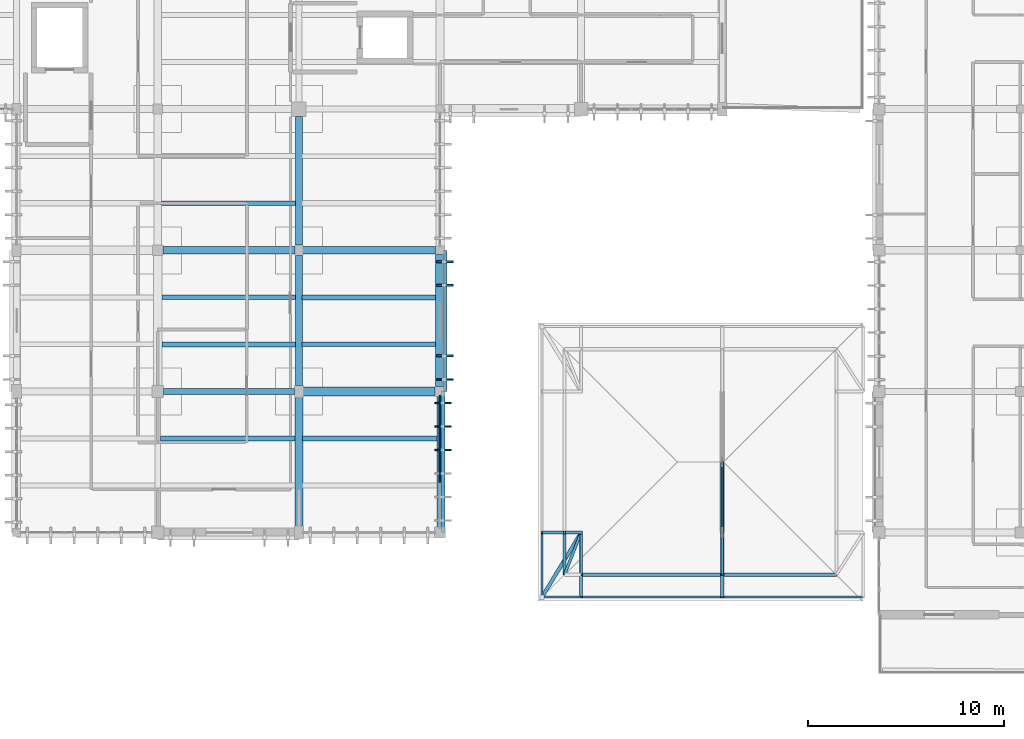
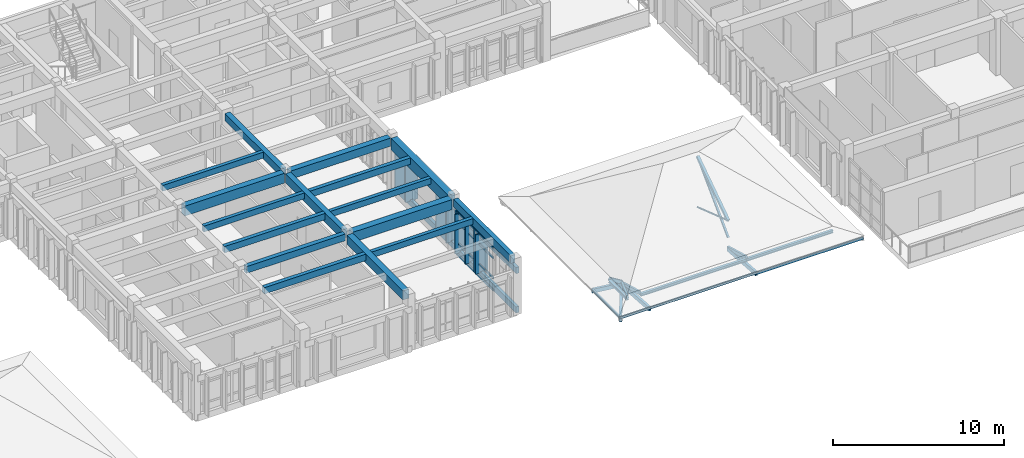
# One storey, part 7 of 51: 35 members, 20 beams, 1 element without a shape of its own.
"""IFC4 building model written with IfcOpenShell, lengths in metres."""

from ifc_helpers import new_model, si_unit, direction, frame, origin, origin_2d, place, context, subcontext, project, spatial, rectangle, hollow_rectangle, hollow_circle, i_section, extrude, material, material_profile, profile_set, type_object, element, aggregate, save


model = new_model("IFC4")

# Units and contexts
model_context = context("Model", 3, precision=1e-05, world=origin(), true_north=direction((0.0, 1.0)))
body_context = subcontext(model_context, "Body", "Model", "MODEL_VIEW")
ifc_project = project(units=[si_unit("LENGTHUNIT", "METRE"), si_unit("AREAUNIT", "SQUARE_METRE"), si_unit("VOLUMEUNIT", "CUBIC_METRE"), si_unit("PLANEANGLEUNIT", "RADIAN"), si_unit("MASSUNIT", "GRAM", prefix="KILO")], contexts=[model_context])

# Site, building, storey
site_placement = place(None, origin())
site = spatial("IfcSite", under=ifc_project, at=site_placement, CompositionType="ELEMENT")
building_placement = place(site_placement, origin())
building = spatial("IfcBuilding", under=site, at=building_placement, Name="Steenspoor Specialist Clinic", CompositionType="ELEMENT")
storey_placement = place(building_placement, frame((0.0, 0.0, 17.39990234375)))
storey = spatial("IfcBuildingStorey", under=building, at=storey_placement, Name="L04", CompositionType="ELEMENT", Elevation=17.39990234375)

# Beams
ifc_material_1 = material(Name="Glulam GL28h", Category="wood")
ifc_material_profile_1 = material_profile(ifc_material_1, rectangle(XDim=0.199951171875, YDim=0.43994140625, at=origin_2d()), Name="GL28H-200X440")
ifc_profile_set_1 = profile_set([ifc_material_profile_1], Name="Glulam GL28h")
beam_type_1 = type_object("IfcBeamType", Name="BM-GL-200X440", PredefinedType="BEAM", material=ifc_profile_set_1)
for number, where, z_axis, x_axis, name in (
    (1, (95.85009765625, 86.75, 0.14013671875), (0.0, -1.0, 0.0), (1.0, 0.0, 0.0), "Timber Screen Tie Rail V4 L04 85"),
    (2, (95.85009765625, 86.75, 2.9501953125), (0.0, -1.0, 0.0), (1.0, 0.0, 0.0), "Timber Screen Tie Rail V4 L04 86"),
    (3, (95.75, 79.550048828125, 0.14013671875), (0.0, -1.0, 0.0), (1.0, 0.0, 0.0), "Timber Screen Tie Rail V4 L04 91"),
    (4, (95.75, 79.550048828125, 2.9501953125), (0.0, -1.0, 0.0), (1.0, 0.0, 0.0), "Timber Screen Tie Rail V4 L04 92"),
):
    element("IfcBeam", number, at=place(storey_placement, frame(where, z_axis=z_axis, x_axis=x_axis)), inside=storey, type_object=beam_type_1, Name=name, PredefinedType="BEAM", context=body_context, shape_type="SweptSolid", body=[
        extrude(rectangle(XDim=0.199951171875, YDim=0.43994140625, at=origin_2d()), origin(), (0.0, 0.0, 1.0), 7.199951171875),
    ])
ifc_material_2 = material(Name="Concrete C35/45", Category="concrete")
ifc_material_profile_2 = material_profile(ifc_material_2, rectangle(XDim=0.300048828125, YDim=0.47998046875, at=origin_2d()), Name="RC-BM-300X480")
ifc_profile_set_2 = profile_set([ifc_material_profile_2], Name="Concrete C35/45")
beam_type_2 = type_object("IfcBeamType", Name="BM-RC-300X480", PredefinedType="BEAM", material=ifc_profile_set_2)
beam_1_placement = place(storey_placement, frame((81.4951171875, 79.550048828125, 3.68017578125), z_axis=(1.0, 0.0, 0.0), x_axis=(0.0, 1.0, 0.0)))
element("IfcBeam", 5, at=beam_1_placement, inside=storey, type_object=beam_type_2, Name="BM-V4-L04-X0915", PredefinedType="BEAM", context=body_context, shape_type="SweptSolid", body=[
    extrude(rectangle(XDim=0.300048828125, YDim=0.47998046875, at=origin_2d()), origin(), (0.0, 0.0, 1.0), 6.684814453125),
])
ifc_material_profile_3 = material_profile(ifc_material_2, rectangle(XDim=0.300048828125, YDim=0.550048828125, at=origin_2d()), Name="RC-BM-300X550")
ifc_profile_set_3 = profile_set([ifc_material_profile_3], Name="Concrete C35/45")
beam_type_3 = type_object("IfcBeamType", Name="BM-RC-300X550", PredefinedType="BEAM", material=ifc_profile_set_3)
beam_2_placement = place(storey_placement, frame((95.60009765625, 72.6201171875, 3.64501953125), z_axis=(0.0, 1.0, 0.0), x_axis=(-1.0, 0.0, 0.0)))
element("IfcBeam", 6, at=beam_2_placement, inside=storey, type_object=beam_type_3, Name="BM-V4-L04-Y0957", PredefinedType="BEAM", context=body_context, shape_type="SweptSolid", body=[
    extrude(rectangle(XDim=0.300048828125, YDim=0.550048828125, at=origin_2d()), origin(), (0.0, 0.0, 1.0), 6.684814453125),
])
ifc_material_profile_4 = material_profile(ifc_material_2, rectangle(XDim=0.35009765625, YDim=0.52001953125, at=origin_2d()), Name="RC-BM-350X520")
ifc_profile_set_4 = profile_set([ifc_material_profile_4], Name="Concrete C35/45")
beam_type_4 = type_object("IfcBeamType", Name="BM-RC-350X520", PredefinedType="BEAM", material=ifc_profile_set_4)
beam_3_placement = place(storey_placement, frame((88.39990234375, 87.02001953125, 3.66015625), z_axis=(0.0, 1.0, 0.0), x_axis=(-1.0, 0.0, 0.0)))
element("IfcBeam", 7, at=beam_3_placement, inside=storey, type_object=beam_type_4, Name="BM-V4-L04-Y0954", PredefinedType="BEAM", context=body_context, shape_type="SweptSolid", body=[
    extrude(rectangle(XDim=0.35009765625, YDim=0.52001953125, at=origin_2d()), origin(), (0.0, 0.0, 1.0), 6.56005859375),
])
ifc_material_profile_5 = material_profile(ifc_material_2, rectangle(XDim=0.35009765625, YDim=0.64990234375, at=origin_2d()), Name="RC-BM-350X650")
ifc_profile_set_5 = profile_set([ifc_material_profile_5], Name="Concrete C35/45")
beam_type_5 = type_object("IfcBeamType", Name="BM-RC-350X650", PredefinedType="BEAM", material=ifc_profile_set_5)
beam_4_placement = place(storey_placement, frame((88.39990234375, 79.844970703125, 3.59521484375), z_axis=(0.0, 1.0, 0.0), x_axis=(-1.0, 0.0, 0.0)))
element("IfcBeam", 8, at=beam_4_placement, inside=storey, type_object=beam_type_5, Name="BM-V4-L04-Y0953", PredefinedType="BEAM", context=body_context, shape_type="SweptSolid", body=[
    extrude(rectangle(XDim=0.35009765625, YDim=0.64990234375, at=origin_2d()), origin(), (0.0, 0.0, 1.0), 6.635009765625),
])
ifc_material_profile_6 = material_profile(ifc_material_2, rectangle(XDim=0.39990234375, YDim=0.580078125, at=origin_2d()), Name="RC-BM-400X580")
ifc_profile_set_6 = profile_set([ifc_material_profile_6], Name="Concrete C35/45")
beam_type_6 = type_object("IfcBeamType", Name="BM-RC-400X580", PredefinedType="BEAM", material=ifc_profile_set_6)
beam_5_placement = place(storey_placement, frame((88.594970703125, 86.75, 3.630126953125), z_axis=(1.0, 0.0, 0.0), x_axis=(0.0, 1.0, 0.0)))
element("IfcBeam", 9, at=beam_5_placement, inside=storey, type_object=beam_type_6, Name="BM-V4-L04-X0919", PredefinedType="BEAM", context=body_context, shape_type="SweptSolid", body=[
    extrude(rectangle(XDim=0.39990234375, YDim=0.580078125, at=origin_2d()), origin(), (0.0, 0.0, 1.0), 6.784912109375),
])
ifc_material_profile_7 = material_profile(ifc_material_2, rectangle(XDim=0.39990234375, YDim=0.64990234375, at=origin_2d()), Name="RC-BM-400X650")
ifc_profile_set_7 = profile_set([ifc_material_profile_7], Name="Concrete C35/45")
beam_type_7 = type_object("IfcBeamType", Name="BM-RC-400X650", PredefinedType="BEAM", material=ifc_profile_set_7)
beam_6_placement = place(storey_placement, frame((88.39990234375, 72.669921875, 3.59521484375), z_axis=(0.0, 1.0, 0.0), x_axis=(-1.0, 0.0, 0.0)))
element("IfcBeam", 10, at=beam_6_placement, inside=storey, type_object=beam_type_7, Name="BM-V4-L04-Y0952", PredefinedType="BEAM", context=body_context, shape_type="SweptSolid", body=[
    extrude(rectangle(XDim=0.39990234375, YDim=0.64990234375, at=origin_2d()), origin(), (0.0, 0.0, 1.0), 6.5849609375),
])
ifc_material_profile_8 = material_profile(ifc_material_2, rectangle(XDim=0.39990234375, YDim=0.699951171875, at=origin_2d()), Name="RC-BM-400X700")
ifc_profile_set_8 = profile_set([ifc_material_profile_8], Name="Concrete C35/45")
beam_type_8 = type_object("IfcBeamType", Name="BM-RC-400X700", PredefinedType="BEAM", material=ifc_profile_set_8)
beam_7_placement = place(storey_placement, frame((81.469970703125, 86.75, 3.570068359375), z_axis=(1.0, 0.0, 0.0), x_axis=(0.0, 1.0, 0.0)))
element("IfcBeam", 11, at=beam_7_placement, inside=storey, type_object=beam_type_8, Name="BM-V4-L04-X0918", PredefinedType="BEAM", context=body_context, shape_type="SweptSolid", body=[
    extrude(rectangle(XDim=0.39990234375, YDim=0.699951171875, at=origin_2d()), origin(), (0.0, 0.0, 1.0), 6.735107421875),
])
ifc_material_profile_9 = material_profile(ifc_material_2, rectangle(XDim=0.449951171875, YDim=0.719970703125, at=origin_2d()), Name="RC-BM-450X720")
ifc_profile_set_9 = profile_set([ifc_material_profile_9], Name="Concrete C35/45")
beam_type_9 = type_object("IfcBeamType", Name="BM-RC-450X720", PredefinedType="BEAM", material=ifc_profile_set_9)
beam_8_placement = place(storey_placement, frame((88.6201171875, 79.550048828125, 3.56005859375), z_axis=(1.0, 0.0, 0.0), x_axis=(0.0, 1.0, 0.0)))
element("IfcBeam", 12, at=beam_8_placement, inside=storey, type_object=beam_type_9, Name="BM-V4-L04-X0916", PredefinedType="BEAM", context=body_context, shape_type="SweptSolid", body=[
    extrude(rectangle(XDim=0.449951171875, YDim=0.719970703125, at=origin_2d()), origin(), (0.0, 0.0, 1.0), 6.73486328125),
])
ifc_material_profile_10 = material_profile(ifc_material_2, rectangle(XDim=0.449951171875, YDim=0.800048828125, at=origin_2d()), Name="RC-BM-450X800")
ifc_profile_set_10 = profile_set([ifc_material_profile_10], Name="Concrete C35/45")
beam_type_10 = type_object("IfcBeamType", Name="BM-RC-450X800", PredefinedType="BEAM", material=ifc_profile_set_10)
beam_9_placement = place(storey_placement, frame((95.60009765625, 79.794921875, 3.52001953125), z_axis=(0.0, 1.0, 0.0), x_axis=(-1.0, 0.0, 0.0)))
element("IfcBeam", 13, at=beam_9_placement, inside=storey, type_object=beam_type_10, Name="BM-V4-L04-Y0958", PredefinedType="BEAM", context=body_context, shape_type="SweptSolid", body=[
    extrude(rectangle(XDim=0.449951171875, YDim=0.800048828125, at=origin_2d()), origin(), (0.0, 0.0, 1.0), 6.735107421875),
])

# Curtain wall, members
ifc_material_3 = material(Name="Thermally broken aluminium and low-emissivity glass", Category="aluminium")
curtain_wall_type = type_object("IfcCurtainWallType", Name="CW-TYP-540X355", PredefinedType="USERDEFINED", material=ifc_material_3)
curtain_wall_placement = place(storey_placement, origin())
curtain_wall = element("IfcCurtainWall", 14, at=curtain_wall_placement, inside=storey, type_object=curtain_wall_type, Name="Unitised Curtain Wall CW-V4-L04-131", ObjectType="UNITISED GLAZING", PredefinedType="USERDEFINED")
ifc_material_4 = material(Name="Thermally broken aluminium 6063-T6", Category="aluminium")
ifc_material_profile_11 = material_profile(ifc_material_4, rectangle(XDim=0.090087890625, YDim=0.199951171875, at=origin_2d()), Name="CWM-90X200")
ifc_profile_set_11 = profile_set([ifc_material_profile_11], Name="Thermally broken aluminium 6063-T6")
member_type_1 = type_object("IfcMemberType", Name="CW-MULL-90X200", PredefinedType="MULLION", material=ifc_profile_set_11)
member_1_placement = place(storey_placement, frame((95.60009765625, 79.2548828125, 0.0), z_axis=(0.0, 0.0, 1.0), x_axis=(1.0, 0.0, 0.0)))
member_1 = element("IfcMember", 15, at=member_1_placement, type_object=member_type_1, Name="CW-11 mullion 1", PredefinedType="MULLION", context=body_context, shape_type="SweptSolid", body=[
    extrude(rectangle(XDim=0.090087890625, YDim=0.199951171875, at=origin_2d()), origin(), (0.0, 0.0, 1.0), 3.10009765625),
])
member_2_placement = place(storey_placement, frame((95.60009765625, 77.074951171875, 0.0), z_axis=(0.0, 0.0, 1.0), x_axis=(1.0, 0.0, 0.0)))
member_2 = element("IfcMember", 16, at=member_2_placement, type_object=member_type_1, Name="CW-11 mullion 2", PredefinedType="MULLION", context=body_context, shape_type="SweptSolid", body=[
    extrude(rectangle(XDim=0.090087890625, YDim=0.199951171875, at=origin_2d()), origin(), (0.0, 0.0, 1.0), 3.10009765625),
])
ifc_material_profile_12 = material_profile(ifc_material_4, rectangle(XDim=0.070068359375, YDim=0.14501953125, at=origin_2d()), Name="CWT-70X145")
ifc_profile_set_12 = profile_set([ifc_material_profile_12], Name="Thermally broken aluminium 6063-T6")
member_type_2 = type_object("IfcMemberType", Name="CW-TRAN-70X145", PredefinedType="USERDEFINED", material=ifc_profile_set_12)
member_3_placement = place(storey_placement, frame((95.60009765625, 79.2099609375, 0.03515625), z_axis=(0.0, -1.0, 0.0), x_axis=(1.0, 0.0, 0.0)))
member_3 = element("IfcMember", 17, at=member_3_placement, type_object=member_type_2, Name="CW-11 transom 1.1", ObjectType="TRANSOM", PredefinedType="USERDEFINED", context=body_context, shape_type="SweptSolid", body=[
    extrude(rectangle(XDim=0.070068359375, YDim=0.14501953125, at=origin_2d()), origin(), (0.0, 0.0, 1.0), 2.08984375),
])
member_4_placement = place(storey_placement, frame((95.60009765625, 79.2099609375, 0.900146484375), z_axis=(0.0, -1.0, 0.0), x_axis=(1.0, 0.0, 0.0)))
member_4 = element("IfcMember", 18, at=member_4_placement, type_object=member_type_2, Name="CW-11 transom 1.2", ObjectType="TRANSOM", PredefinedType="USERDEFINED", context=body_context, shape_type="SweptSolid", body=[
    extrude(rectangle(XDim=0.070068359375, YDim=0.14501953125, at=origin_2d()), origin(), (0.0, 0.0, 1.0), 2.08984375),
])
member_5_placement = place(storey_placement, frame((95.60009765625, 79.2099609375, 2.35009765625), z_axis=(0.0, -1.0, 0.0), x_axis=(1.0, 0.0, 0.0)))
member_5 = element("IfcMember", 19, at=member_5_placement, type_object=member_type_2, Name="CW-11 transom 1.3", ObjectType="TRANSOM", PredefinedType="USERDEFINED", context=body_context, shape_type="SweptSolid", body=[
    extrude(rectangle(XDim=0.070068359375, YDim=0.14501953125, at=origin_2d()), origin(), (0.0, 0.0, 1.0), 2.08984375),
])
member_6_placement = place(storey_placement, frame((95.60009765625, 79.2099609375, 3.065185546875), z_axis=(0.0, -1.0, 0.0), x_axis=(1.0, 0.0, 0.0)))
member_6 = element("IfcMember", 20, at=member_6_placement, type_object=member_type_2, Name="CW-11 transom 1.4", ObjectType="TRANSOM", PredefinedType="USERDEFINED", context=body_context, shape_type="SweptSolid", body=[
    extrude(rectangle(XDim=0.070068359375, YDim=0.14501953125, at=origin_2d()), origin(), (0.0, 0.0, 1.0), 2.08984375),
])
member_7_placement = place(storey_placement, frame((95.60009765625, 77.030029296875, 0.03515625), z_axis=(0.0, -1.0, 0.0), x_axis=(1.0, 0.0, 0.0)))
member_7 = element("IfcMember", 21, at=member_7_placement, type_object=member_type_2, Name="CW-11 transom 2.1", ObjectType="TRANSOM", PredefinedType="USERDEFINED", context=body_context, shape_type="SweptSolid", body=[
    extrude(rectangle(XDim=0.070068359375, YDim=0.14501953125, at=origin_2d()), origin(), (0.0, 0.0, 1.0), 2.135009765625),
])
member_8_placement = place(storey_placement, frame((95.60009765625, 77.030029296875, 0.900146484375), z_axis=(0.0, -1.0, 0.0), x_axis=(1.0, 0.0, 0.0)))
member_8 = element("IfcMember", 22, at=member_8_placement, type_object=member_type_2, Name="CW-11 transom 2.2", ObjectType="TRANSOM", PredefinedType="USERDEFINED", context=body_context, shape_type="SweptSolid", body=[
    extrude(rectangle(XDim=0.070068359375, YDim=0.14501953125, at=origin_2d()), origin(), (0.0, 0.0, 1.0), 2.135009765625),
])
member_9_placement = place(storey_placement, frame((95.60009765625, 77.030029296875, 2.35009765625), z_axis=(0.0, -1.0, 0.0), x_axis=(1.0, 0.0, 0.0)))
member_9 = element("IfcMember", 23, at=member_9_placement, type_object=member_type_2, Name="CW-11 transom 2.3", ObjectType="TRANSOM", PredefinedType="USERDEFINED", context=body_context, shape_type="SweptSolid", body=[
    extrude(rectangle(XDim=0.070068359375, YDim=0.14501953125, at=origin_2d()), origin(), (0.0, 0.0, 1.0), 2.135009765625),
])
member_10_placement = place(storey_placement, frame((95.60009765625, 77.030029296875, 3.065185546875), z_axis=(0.0, -1.0, 0.0), x_axis=(1.0, 0.0, 0.0)))
member_10 = element("IfcMember", 24, at=member_10_placement, type_object=member_type_2, Name="CW-11 transom 2.4", ObjectType="TRANSOM", PredefinedType="USERDEFINED", context=body_context, shape_type="SweptSolid", body=[
    extrude(rectangle(XDim=0.070068359375, YDim=0.14501953125, at=origin_2d()), origin(), (0.0, 0.0, 1.0), 2.135009765625),
])
aggregate(curtain_wall, [member_1, member_2, member_3, member_4, member_5, member_6, member_7, member_8, member_9, member_10])

# Beams
ifc_material_profile_13 = material_profile(ifc_material_2, rectangle(XDim=0.239990234375, YDim=0.419921875, at=origin_2d()), Name="RC-JT-240X420")
ifc_profile_set_13 = profile_set([ifc_material_profile_13], Name="Concrete C35/45")
beam_type_11 = type_object("IfcBeamType", Name="JT-RC-240X420", PredefinedType="JOIST", material=ifc_profile_set_13)
beam_10_placement = place(storey_placement, frame((81.419921875, 84.35009765625, 3.710205078125), z_axis=(1.0, 0.0, 0.0), x_axis=(0.0, 1.0, 0.0)))
element("IfcBeam", 25, at=beam_10_placement, inside=storey, type_object=beam_type_11, Name="JT-V4-L04-0983", PredefinedType="JOIST", context=body_context, shape_type="SweptSolid", body=[
    extrude(rectangle(XDim=0.239990234375, YDim=0.419921875, at=origin_2d()), origin(), (0.0, 0.0, 1.0), 6.81005859375),
])
beam_11_placement = place(storey_placement, frame((81.39501953125, 89.14990234375, 3.710205078125), z_axis=(1.0, 0.0, 0.0), x_axis=(0.0, 1.0, 0.0)))
element("IfcBeam", 26, at=beam_11_placement, inside=storey, type_object=beam_type_11, Name="JT-V4-L04-0984", PredefinedType="JOIST", context=body_context, shape_type="SweptSolid", body=[
    extrude(rectangle(XDim=0.239990234375, YDim=0.419921875, at=origin_2d()), origin(), (0.0, 0.0, 1.0), 6.8349609375),
])
beam_12_placement = place(storey_placement, frame((88.594970703125, 77.14990234375, 3.710205078125), z_axis=(1.0, 0.0, 0.0), x_axis=(0.0, 1.0, 0.0)))
element("IfcBeam", 27, at=beam_12_placement, inside=storey, type_object=beam_type_11, Name="JT-V4-L04-0989", PredefinedType="JOIST", context=body_context, shape_type="SweptSolid", body=[
    extrude(rectangle(XDim=0.239990234375, YDim=0.419921875, at=origin_2d()), origin(), (0.0, 0.0, 1.0), 6.860107421875),
])
beam_13_placement = place(storey_placement, frame((88.570068359375, 81.949951171875, 3.710205078125), z_axis=(1.0, 0.0, 0.0), x_axis=(0.0, 1.0, 0.0)))
element("IfcBeam", 28, at=beam_13_placement, inside=storey, type_object=beam_type_11, Name="JT-V4-L04-0990", PredefinedType="JOIST", context=body_context, shape_type="SweptSolid", body=[
    extrude(rectangle(XDim=0.239990234375, YDim=0.419921875, at=origin_2d()), origin(), (0.0, 0.0, 1.0), 6.809814453125),
])
ifc_material_profile_14 = material_profile(ifc_material_2, rectangle(XDim=0.260009765625, YDim=0.4599609375, at=origin_2d()), Name="RC-JT-260X460")
ifc_profile_set_14 = profile_set([ifc_material_profile_14], Name="Concrete C35/45")
beam_type_12 = type_object("IfcBeamType", Name="JT-RC-260X460", PredefinedType="JOIST", material=ifc_profile_set_14)
beam_14_placement = place(storey_placement, frame((81.344970703125, 77.14990234375, 3.690185546875), z_axis=(1.0, 0.0, 0.0), x_axis=(0.0, 1.0, 0.0)))
element("IfcBeam", 29, at=beam_14_placement, inside=storey, type_object=beam_type_12, Name="JT-V4-L04-0981", PredefinedType="JOIST", context=body_context, shape_type="SweptSolid", body=[
    extrude(rectangle(XDim=0.260009765625, YDim=0.4599609375, at=origin_2d()), origin(), (0.0, 0.0, 1.0), 6.860107421875),
])
beam_15_placement = place(storey_placement, frame((81.419921875, 81.949951171875, 3.690185546875), z_axis=(1.0, 0.0, 0.0), x_axis=(0.0, 1.0, 0.0)))
element("IfcBeam", 30, at=beam_15_placement, inside=storey, type_object=beam_type_12, Name="JT-V4-L04-0982", PredefinedType="JOIST", context=body_context, shape_type="SweptSolid", body=[
    extrude(rectangle(XDim=0.260009765625, YDim=0.4599609375, at=origin_2d()), origin(), (0.0, 0.0, 1.0), 6.81005859375),
])
beam_16_placement = place(storey_placement, frame((88.570068359375, 84.35009765625, 3.690185546875), z_axis=(1.0, 0.0, 0.0), x_axis=(0.0, 1.0, 0.0)))
element("IfcBeam", 31, at=beam_16_placement, inside=storey, type_object=beam_type_12, Name="JT-V4-L04-0991", PredefinedType="JOIST", context=body_context, shape_type="SweptSolid", body=[
    extrude(rectangle(XDim=0.260009765625, YDim=0.4599609375, at=origin_2d()), origin(), (0.0, 0.0, 1.0), 6.809814453125),
])

# Members
ifc_material_5 = material(Name="Steel A500 Grade C", Category="steel")
ifc_material_profile_15 = material_profile(ifc_material_5, hollow_rectangle(XDim=0.126953125, YDim=0.126953125, WallThickness=0.005859375, at=origin_2d()), Name="HSS127X127X6.4")
ifc_profile_set_15 = profile_set([ifc_material_profile_15], Name="Steel A500 Grade C")
member_type_3 = type_object("IfcMemberType", Name="MEM-BRACE-H127B", PredefinedType="BRACE", material=ifc_profile_set_15)
member_11_placement = place(storey_placement, frame((110.0, 72.35009765625, 0.300048828125), z_axis=(0.0, 0.703113881408, 0.711077260058), x_axis=(-1.0, 0.0, 0.0)))
element("IfcMember", 32, at=member_11_placement, inside=storey, type_object=member_type_3, Name="ROOF TRUSS Web Brace V4T2E 2.1", PredefinedType="BRACE", context=body_context, shape_type="SweptSolid", body=[
    extrude(hollow_rectangle(XDim=0.126953125, YDim=0.126953125, WallThickness=0.005859375, at=origin_2d()), origin(), (0.0, 0.0, 1.0), 5.119873046875),
])
ifc_material_profile_16 = material_profile(ifc_material_5, hollow_rectangle(XDim=0.177734375, YDim=0.177734375, WallThickness=0.0087890625, at=origin_2d()), Name="HSS178X178X9.5")
ifc_profile_set_16 = profile_set([ifc_material_profile_16], Name="Steel A500 Grade C")
member_type_4 = type_object("IfcMemberType", Name="MEM-CHORD-H178", PredefinedType="CHORD", material=ifc_profile_set_16)
member_12_placement = place(storey_placement, frame((110.0, 72.35009765625, 1.521728515625), z_axis=(0.0, 0.830018247559, 0.557736235796), x_axis=(-1.0, 0.0, 0.0)))
element("IfcMember", 33, at=member_12_placement, inside=storey, type_object=member_type_4, Name="ROOF TRUSS Top Chord V4T2E 2.1", PredefinedType="CHORD", context=body_context, shape_type="SweptSolid", body=[
    extrude(hollow_rectangle(XDim=0.177734375, YDim=0.177734375, WallThickness=0.0087890625, at=origin_2d()), origin(), (0.0, 0.0, 1.0), 4.337158203125),
])
ifc_material_profile_17 = material_profile(ifc_material_5, hollow_rectangle(XDim=0.1015625, YDim=0.15234375, WallThickness=0.005859375, at=origin_2d()), Name="HSS152X102X6.4")
ifc_profile_set_17 = profile_set([ifc_material_profile_17], Name="Steel A500 Grade C")
member_type_5 = type_object("IfcMemberType", Name="MEM-PURLIN-H152", PredefinedType="PURLIN", material=ifc_profile_set_17)
member_13_placement = place(storey_placement, frame((100.800048828125, 69.050048828125, -0.19482421875), z_axis=(1.0, 0.0, 0.0), x_axis=(0.0, 1.0, 0.0)))
element("IfcMember", 34, at=member_13_placement, inside=storey, type_object=member_type_5, Name="ROOF TRUSS Eave Fascia 254", PredefinedType="PURLIN", context=body_context, shape_type="SweptSolid", body=[
    extrude(hollow_rectangle(XDim=0.1015625, YDim=0.15234375, WallThickness=0.005859375, at=origin_2d()), origin(), (0.0, 0.0, 1.0), 2.0),
])
for number, where, z_axis, x_axis, name in (
    (35, (102.800048828125, 69.050048828125, -0.19482421875), (1.0, 0.0, 0.0), (0.0, 1.0, 0.0), "ROOF TRUSS Eave Fascia 255"),
    (36, (110.0, 69.050048828125, -0.2431640625), (1.0, 0.0, 0.0), (0.0, 1.0, 0.0), "ROOF TRUSS Eave Fascia 256"),
):
    element("IfcMember", number, at=place(storey_placement, frame(where, z_axis=z_axis, x_axis=x_axis)), inside=storey, type_object=member_type_5, Name=name, PredefinedType="PURLIN", context=body_context, shape_type="SweptSolid", body=[
        extrude(hollow_rectangle(XDim=0.1015625, YDim=0.15234375, WallThickness=0.005859375, at=origin_2d()), origin(), (0.0, 0.0, 1.0), 7.199951171875),
    ])
member_14_placement = place(storey_placement, frame((100.800048828125, 69.050048828125, -0.19482421875), z_axis=(0.0, 1.0, 0.0), x_axis=(-1.0, 0.0, 0.0)))
element("IfcMember", 37, at=member_14_placement, inside=storey, type_object=member_type_5, Name="ROOF TRUSS Eave Fascia 260", PredefinedType="PURLIN", context=body_context, shape_type="SweptSolid", body=[
    extrude(hollow_rectangle(XDim=0.1015625, YDim=0.15234375, WallThickness=0.005859375, at=origin_2d()), origin(), (0.0, 0.0, 1.0), 3.300048828125),
])
ifc_material_6 = material(Name="Steel A992 Grade 50", Category="steel")
ifc_material_profile_18 = material_profile(ifc_material_6, i_section(OverallWidth=0.1650390625, OverallDepth=0.200927734375, WebThickness=0.006103515625, FlangeThickness=0.01025390625, at=origin_2d()), Name="W200X36")
ifc_profile_set_18 = profile_set([ifc_material_profile_18], Name="Steel A992 Grade 50")
member_type_6 = type_object("IfcMemberType", Name="MEM-PURLIN-W200", PredefinedType="PURLIN", material=ifc_profile_set_18)
member_15_placement = place(storey_placement, frame((102.800048828125, 70.199951171875, 0.052490234375), z_axis=(1.0, 0.0, 0.0), x_axis=(0.0, 1.0, 0.0)))
element("IfcMember", 38, at=member_15_placement, inside=storey, type_object=member_type_6, Name="ROOF TRUSS Knuckle Purlin 265", PredefinedType="PURLIN", context=body_context, shape_type="SweptSolid", body=[
    extrude(i_section(OverallWidth=0.1650390625, OverallDepth=0.200927734375, WebThickness=0.006103515625, FlangeThickness=0.01025390625, at=origin_2d()), origin(), (0.0, 0.0, 1.0), 7.199951171875),
])
member_16_placement = place(storey_placement, frame((110.0, 70.199951171875, 0.052490234375), z_axis=(1.0, 0.0, 0.0), x_axis=(0.0, 1.0, 0.0)))
element("IfcMember", 39, at=member_16_placement, inside=storey, type_object=member_type_6, Name="ROOF TRUSS Knuckle Purlin 267", PredefinedType="PURLIN", context=body_context, shape_type="SweptSolid", body=[
    extrude(i_section(OverallWidth=0.1650390625, OverallDepth=0.200927734375, WebThickness=0.006103515625, FlangeThickness=0.01025390625, at=origin_2d()), origin(), (0.0, 0.0, 1.0), 5.820068359375),
])
member_17_placement = place(storey_placement, frame((101.949951171875, 70.199951171875, 0.052490234375), z_axis=(0.0, 1.0, 0.0), x_axis=(-1.0, 0.0, 0.0)))
element("IfcMember", 40, at=member_17_placement, inside=storey, type_object=member_type_6, Name="ROOF TRUSS Knuckle Purlin 269", PredefinedType="PURLIN", context=body_context, shape_type="SweptSolid", body=[
    extrude(i_section(OverallWidth=0.1650390625, OverallDepth=0.200927734375, WebThickness=0.006103515625, FlangeThickness=0.01025390625, at=origin_2d()), origin(), (0.0, 0.0, 1.0), 2.150146484375),
])
ifc_material_profile_19 = material_profile(ifc_material_1, rectangle(XDim=0.139892578125, YDim=0.219970703125, at=origin_2d()), Name="GL28H-140X220")
ifc_profile_set_19 = profile_set([ifc_material_profile_19], Name="Glulam GL28h")
member_type_7 = type_object("IfcMemberType", Name="MEM-RAFTER-GL220", PredefinedType="RAFTER", material=ifc_profile_set_19)
for number, where, z_axis, x_axis, name in (
    (41, (102.800048828125, 72.35009765625, -0.42041015625), (0.0, -0.963528880658, 0.267604364947), (1.0, 0.0, 0.0), "ROOF TRUSS Knuckle Rafter V4T2E 158"),
    (42, (110.0, 72.35009765625, -0.42041015625), (0.0, -0.963528880658, 0.267604364947), (1.0, 0.0, 0.0), "ROOF TRUSS Knuckle Rafter V4T2E 162"),
):
    element("IfcMember", number, at=place(storey_placement, frame(where, z_axis=z_axis, x_axis=x_axis)), inside=storey, type_object=member_type_7, Name=name, PredefinedType="RAFTER", context=body_context, shape_type="SweptSolid", body=[
        extrude(rectangle(XDim=0.139892578125, YDim=0.219970703125, at=origin_2d()), origin(), (0.0, 0.0, 1.0), 2.2314453125),
    ])
member_18_placement = place(storey_placement, frame((102.800048828125, 72.35009765625, -0.347412109375), z_axis=(-0.851196352378, 0.0, 0.524847377529), x_axis=(0.0, -1.0, 0.0)))
element("IfcMember", 43, at=member_18_placement, inside=storey, type_object=member_type_7, Name="ROOF TRUSS Knuckle Rafter V4T2E 168", PredefinedType="RAFTER", context=body_context, shape_type="SweptSolid", body=[
    extrude(rectangle(XDim=0.139892578125, YDim=0.219970703125, at=origin_2d()), origin(), (0.0, 0.0, 1.0), 0.998779296875),
])
member_19_placement = place(storey_placement, frame((102.800048828125, 72.35009765625, -0.409912109375), z_axis=(-0.356380180341, -0.901390077043, 0.245945311132), x_axis=(0.929954842819, -0.367673755274, 0.0)))
element("IfcMember", 44, at=member_19_placement, inside=storey, type_object=member_type_7, Name="ROOF TRUSS Corner Knuckle Rafter V4T2E 174", PredefinedType="RAFTER", context=body_context, shape_type="SweptSolid", body=[
    extrude(rectangle(XDim=0.139892578125, YDim=0.219970703125, at=origin_2d()), origin(), (0.0, 0.0, 1.0), 2.38525390625),
])
ifc_material_profile_20 = material_profile(ifc_material_1, rectangle(XDim=0.159912109375, YDim=0.280029296875, at=origin_2d()), Name="GL28H-160X280")
ifc_profile_set_20 = profile_set([ifc_material_profile_20], Name="Glulam GL28h")
member_type_8 = type_object("IfcMemberType", Name="MEM-RAFTER-GL280", PredefinedType="RAFTER", material=ifc_profile_set_20)
for number, where, z_axis, x_axis, name in (
    (45, (102.800048828125, 72.35009765625, -0.5), (0.0, -0.997513468668, 0.070476093999), (1.0, 0.0, 0.0), "ROOF TRUSS Flared Eave Glulam Outrigger V4T2E 157"),
    (46, (110.0, 72.35009765625, -0.5), (0.0, -0.997513468668, 0.070476093999), (1.0, 0.0, 0.0), "ROOF TRUSS Flared Eave Glulam Outrigger V4T2E 161"),
):
    element("IfcMember", number, at=place(storey_placement, frame(where, z_axis=z_axis, x_axis=x_axis)), inside=storey, type_object=member_type_8, Name=name, PredefinedType="RAFTER", context=body_context, shape_type="SweptSolid", body=[
        extrude(rectangle(XDim=0.159912109375, YDim=0.280029296875, at=origin_2d()), origin(), (0.0, 0.0, 1.0), 3.308349609375),
    ])
member_20_placement = place(storey_placement, frame((102.800048828125, 72.35009765625, -0.5), z_axis=(-0.993273369456, 0.0, 0.11579297703), x_axis=(0.0, -1.0, 0.0)))
element("IfcMember", 47, at=member_20_placement, inside=storey, type_object=member_type_8, Name="ROOF TRUSS Flared Eave Glulam Outrigger V4T2E 167", PredefinedType="RAFTER", context=body_context, shape_type="SweptSolid", body=[
    extrude(rectangle(XDim=0.159912109375, YDim=0.280029296875, at=origin_2d()), origin(), (0.0, 0.0, 1.0), 2.013427734375),
])
ifc_material_profile_21 = material_profile(ifc_material_1, rectangle(XDim=0.179931640625, YDim=0.360107421875, at=origin_2d()), Name="GL28H-180X360")
ifc_profile_set_21 = profile_set([ifc_material_profile_21], Name="Glulam GL28h")
member_type_9 = type_object("IfcMemberType", Name="MEM-RAFTER-GL360", PredefinedType="RAFTER", material=ifc_profile_set_21)
member_21_placement = place(storey_placement, frame((102.800048828125, 72.35009765625, -0.5), z_axis=(-0.517656424832, -0.854145739069, 0.049667718496), x_axis=(0.855201230787, -0.518296107317, 0.0)))
element("IfcMember", 48, at=member_21_placement, inside=storey, type_object=member_type_9, Name="ROOF TRUSS Corner Hip Outrigger V4T2E 173", PredefinedType="RAFTER", context=body_context, shape_type="SweptSolid", body=[
    extrude(rectangle(XDim=0.179931640625, YDim=0.360107421875, at=origin_2d()), origin(), (0.0, 0.0, 1.0), 3.863525390625),
])
ifc_material_profile_22 = material_profile(ifc_material_1, rectangle(XDim=0.090087890625, YDim=0.85009765625, at=origin_2d()), Name="GL28H-90X850")
ifc_profile_set_22 = profile_set([ifc_material_profile_22], Name="Glulam GL28h")
member_type_10 = type_object("IfcMemberType", Name="MEM-SCREEN-GL850", PredefinedType="STRUT", material=ifc_profile_set_22)
for number, where, z_axis, x_axis, name in (
    (49, (95.85009765625, 86.16259765625, 0.27001953125), (0.0, 0.0, 1.0), (0.0, -1.0, 0.0), "Glulam Timber Screen Fin SCR-FIN-V4-L04-0087"),
    (50, (95.85009765625, 84.96240234375, 0.27001953125), (0.0, 0.0, 1.0), (0.0, -1.0, 0.0), "Glulam Timber Screen Fin SCR-FIN-V4-L04-0088"),
    (51, (95.85009765625, 81.362548828125, 0.27001953125), (0.0, 0.0, 1.0), (0.0, -1.0, 0.0), "Glulam Timber Screen Fin SCR-FIN-V4-L04-0089"),
    (52, (95.85009765625, 80.16259765625, 0.27001953125), (0.0, 0.0, 1.0), (0.0, -1.0, 0.0), "Glulam Timber Screen Fin SCR-FIN-V4-L04-0090"),
    (53, (95.75, 78.96240234375, 0.27001953125), (0.0, 0.0, 1.0), (0.0, -1.0, 0.0), "Glulam Timber Screen Fin SCR-FIN-V4-L04-0093"),
    (54, (95.75, 77.762451171875, 0.27001953125), (0.0, 0.0, 1.0), (0.0, -1.0, 0.0), "Glulam Timber Screen Fin SCR-FIN-V4-L04-0094"),
    (55, (95.75, 76.5625, 0.27001953125), (0.0, 0.0, 1.0), (0.0, -1.0, 0.0), "Glulam Timber Screen Fin SCR-FIN-V4-L04-0095"),
):
    element("IfcMember", number, at=place(storey_placement, frame(where, z_axis=z_axis, x_axis=x_axis)), inside=storey, type_object=member_type_10, Name=name, PredefinedType="STRUT", context=body_context, shape_type="SweptSolid", body=[
        extrude(rectangle(XDim=0.090087890625, YDim=0.85009765625, at=origin_2d()), origin(), (0.0, 0.0, 1.0), 2.820068359375),
    ])
ifc_material_profile_23 = material_profile(ifc_material_5, hollow_circle(Radius=0.05712890625, WallThickness=0.006103515625, at=origin_2d()), Name="CHS114X6.0")
ifc_profile_set_23 = profile_set([ifc_material_profile_23], Name="Steel A500 Grade C")
member_type_11 = type_object("IfcMemberType", Name="MEM-STRUT-CHS114", PredefinedType="STRUT", material=ifc_profile_set_23)
member_22_placement = place(storey_placement, frame((110.0, 72.35009765625, 1.521728515625), z_axis=(0.0, 0.946954621262, -0.321367305852), x_axis=(-1.0, 0.0, 0.0)))
element("IfcMember", 56, at=member_22_placement, inside=storey, type_object=member_type_11, Name="ROOF TRUSS Web Strut V4T2E 2.1", PredefinedType="STRUT", context=body_context, shape_type="SweptSolid", body=[
    extrude(hollow_circle(Radius=0.05712890625, WallThickness=0.006103515625, at=origin_2d()), origin(), (0.0, 0.0, 1.0), 3.801513671875),
])

save(model, "model.ifc")
